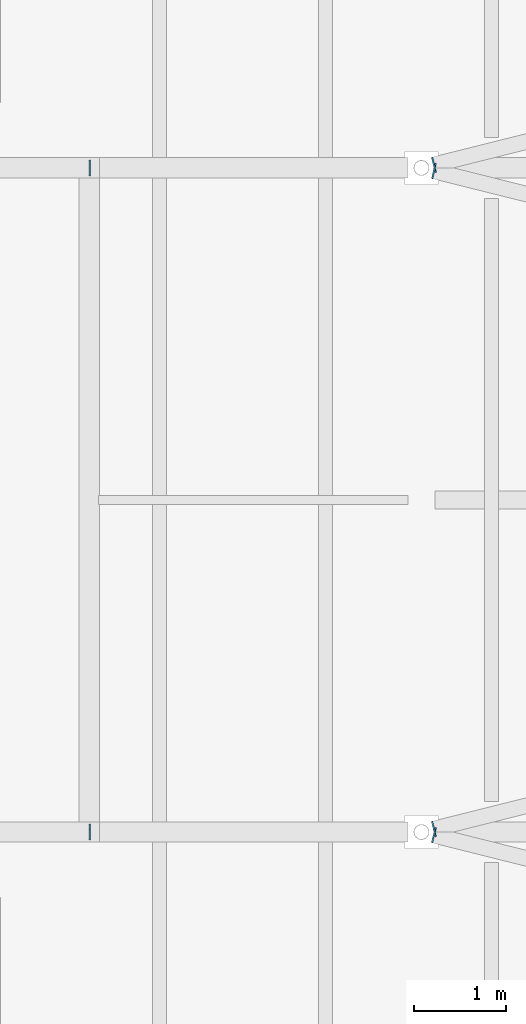
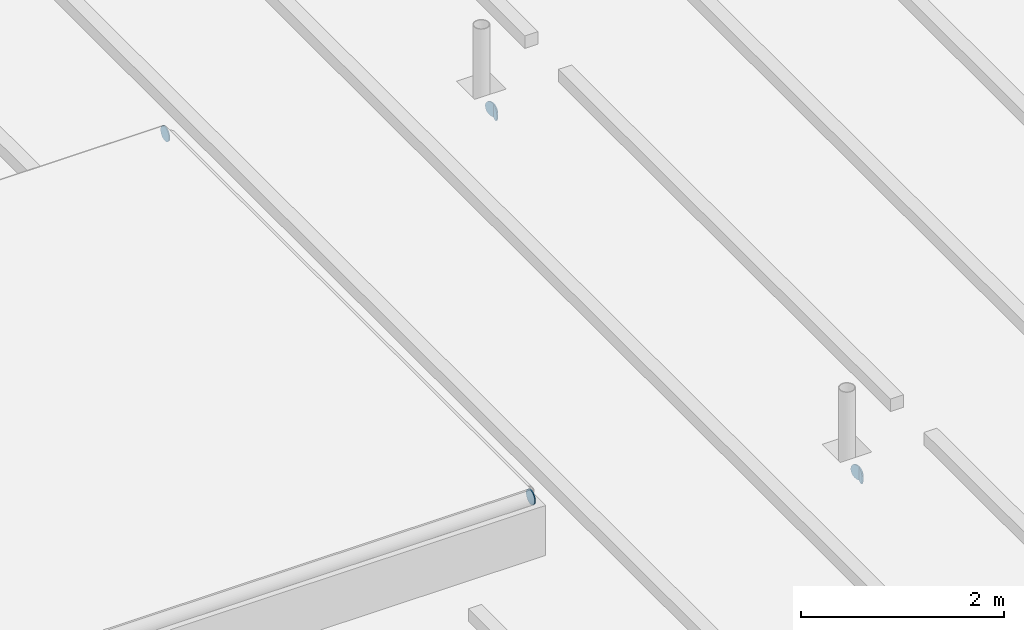
# One storey, part 99 of 120: 6 discrete accessories.
"""IFC4 building model written with IfcOpenShell, lengths in metres."""

from ifc_helpers import new_model, si_unit, direction, frame, origin, origin_2d, place, context, subcontext, project, spatial, circle, extrude, material, layer, layer_set, type_object, element, save


model = new_model("IFC4")

# Units and contexts
model_context = context("Model", 3, precision=1e-05, world=origin(), true_north=direction((0.0, 1.0)))
body_context = subcontext(model_context, "Body", "Model", "MODEL_VIEW")
ifc_project = project(units=[si_unit("LENGTHUNIT", "METRE"), si_unit("AREAUNIT", "SQUARE_METRE"), si_unit("VOLUMEUNIT", "CUBIC_METRE"), si_unit("PLANEANGLEUNIT", "RADIAN"), si_unit("MASSUNIT", "GRAM", prefix="KILO")], contexts=[model_context])

# Site, building, storey
site_placement = place(None, origin())
site = spatial("IfcSite", under=ifc_project, at=site_placement, CompositionType="ELEMENT")
building_placement = place(site_placement, origin())
building = spatial("IfcBuilding", under=site, at=building_placement, Name="Kupolbacken Congress Centre", CompositionType="ELEMENT")
storey_placement = place(building_placement, frame((0.0, 0.0, 21.60009765625)))
storey = spatial("IfcBuildingStorey", under=building, at=storey_placement, Name="L06", CompositionType="ELEMENT", Elevation=21.60009765625)

# Discrete accessories
ifc_material = material(Name="Steel S355", Category="steel")
ifc_layer = layer(ifc_material, 0.011962890625)
ifc_layer_set = layer_set([ifc_layer], Name="Steel S355")
discrete_accessory_type = type_object("IfcDiscreteAccessoryType", Name="EC2 tube end cap plate 168 dia x 12", PredefinedType="BRACKET", material=ifc_layer_set)
for number, where, z_axis, x_axis, name in (
    (1, (151.3408203125, 75.564697265625, -0.084228515625), (-0.970142500145, 0.242535625036, 0.0), (-0.242535625036, -0.970142500145, 0.0), "End cap plate HR/RB/05-08 B"),
    (2, (151.3408203125, 75.63525390625, -0.084228515625), (-0.970142500145, -0.242535625036, 0.0), (0.242535625036, -0.970142500145, 0.0), "End cap plate HR/RB/05-09 A"),
    (3, (151.3408203125, 82.764892578125, -0.084228515625), (-0.974732318528, 0.223376156329, 0.0), (-0.223376156329, -0.974732318528, 0.0), "End cap plate HR/RB/05-10 B"),
    (4, (151.3408203125, 82.835205078125, -0.084228515625), (-0.970142500145, -0.242535625036, 0.0), (0.242535625036, -0.970142500145, 0.0), "End cap plate HR/RB/05-11 A"),
    (5, (147.60009765625, 82.800048828125, 0.944091796875), (1.0, 0.0, 0.0), (0.0, 1.0, 0.0), "End cap plate RD/RL5/FN B"),
    (6, (147.60009765625, 75.60009765625, 0.944091796875), (1.0, 0.0, 0.0), (0.0, 1.0, 0.0), "End cap plate RD/RL5/FS B"),
):
    element("IfcDiscreteAccessory", number, at=place(storey_placement, frame(where, z_axis=z_axis, x_axis=x_axis)), inside=storey, type_object=discrete_accessory_type, Name=name, PredefinedType="BRACKET", context=body_context, shape_type="SweptSolid", body=[
        extrude(circle(Radius=0.084228515625, at=origin_2d()), origin(), (0.0, 0.0, 1.0), 0.011962890625),
    ])

save(model, "model.ifc")
